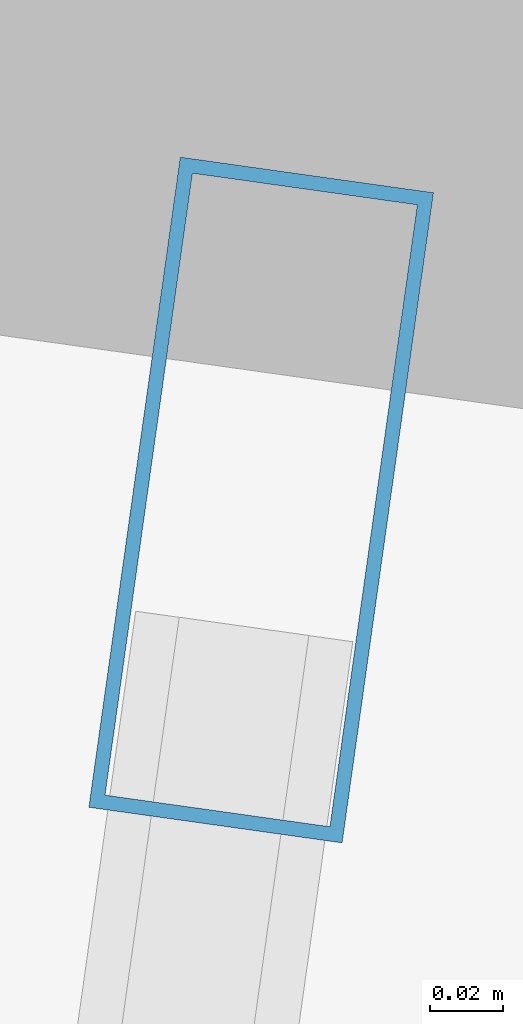
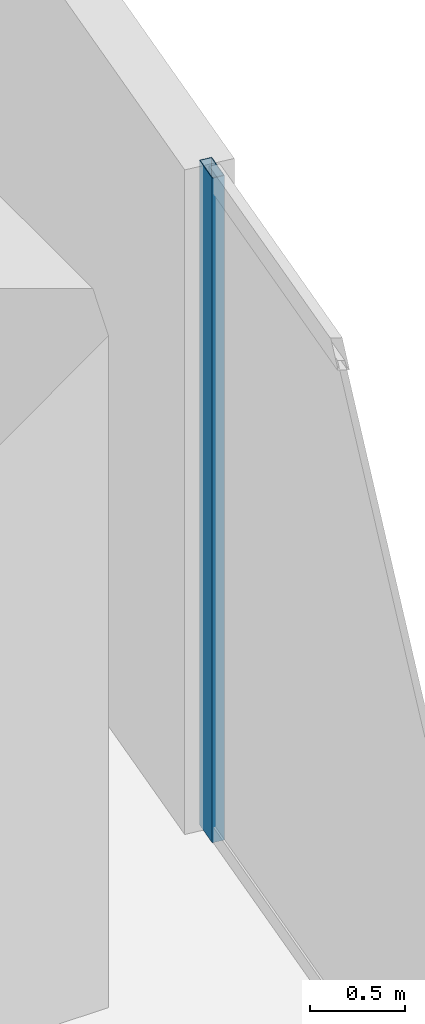
# One storey, part 22 of 28: 1 member, 1 element without a shape of its own.
"""IFC4 building model written with IfcOpenShell, lengths in metres."""

from ifc_helpers import new_model, si_unit, direction, frame, origin, origin_2d, place, context, subcontext, project, spatial, hollow_rectangle, extrude, material, layer, layer_set, material_profile, profile_set, type_object, element, aggregate, save


model = new_model("IFC4")

# Units and contexts
model_context = context("Model", 3, precision=1e-05, world=origin(), true_north=direction((0.0, 1.0)))
body_context = subcontext(model_context, "Body", "Model", "MODEL_VIEW")
ifc_project = project(units=[si_unit("LENGTHUNIT", "METRE"), si_unit("AREAUNIT", "SQUARE_METRE"), si_unit("VOLUMEUNIT", "CUBIC_METRE"), si_unit("PLANEANGLEUNIT", "RADIAN"), si_unit("MASSUNIT", "GRAM", prefix="KILO")], contexts=[model_context])

# Site, building, storey
site_placement = place(None, origin())
site = spatial("IfcSite", under=ifc_project, at=site_placement, CompositionType="ELEMENT")
building_placement = place(site_placement, origin())
building = spatial("IfcBuilding", under=site, at=building_placement, Name="Kravanh Interchange Tower", CompositionType="ELEMENT")
storey_placement = place(building_placement, frame((0.0, 0.0, 91.5)))
storey = spatial("IfcBuildingStorey", under=building, at=storey_placement, Name="L21", CompositionType="ELEMENT", Elevation=91.5)

# Curtain wall, member
ifc_material_1 = material(Name="Anodised Bronze Aluminium", Category="aluminium")
ifc_layer = layer(ifc_material_1, 0.179931640625)
ifc_layer_set = layer_set([ifc_layer], Name="Unitised Curtain Wall System CW-SKY Sky Observatory")
curtain_wall_type = type_object("IfcCurtainWallType", Name="Unitised Curtain Wall System CW-SKY Sky Observatory", PredefinedType="NOTDEFINED", material=ifc_layer_set)
curtain_wall_placement = place(storey_placement, origin())
curtain_wall = element("IfcCurtainWall", 1, at=curtain_wall_placement, inside=storey, type_object=curtain_wall_type, Name="L21 Unitised Curtain Wall CW-L21-02", PredefinedType="NOTDEFINED")
ifc_material_2 = material(Name="Anodised Bronze Aluminium", Category="aluminium")
ifc_material_profile = material_profile(ifc_material_2, hollow_rectangle(XDim=0.070068359375, YDim=0.179931640625, WallThickness=0.00390625, at=origin_2d()), Name="ALU70X180X4")
ifc_profile_set = profile_set([ifc_material_profile], Name="Anodised Bronze Aluminium")
member_type = type_object("IfcMemberType", Name="Curtain Wall Mullion ALU70X180X4 Bronze", PredefinedType="MULLION", material=ifc_profile_set)
member_placement = place(storey_placement, frame((68.3701171875, 37.765380859375, 0.0), z_axis=(0.0, 0.0, 1.0), x_axis=(0.990267585682, -0.139176538065, 0.0)))
member = element("IfcMember", 2, at=member_placement, type_object=member_type, Name="CW-SKY mullion 1", PredefinedType="MULLION", context=body_context, shape_type="SweptSolid", body=[
    extrude(hollow_rectangle(XDim=0.070068359375, YDim=0.179931640625, WallThickness=0.00390625, at=origin_2d()), origin(), (0.0, 0.0, 1.0), 4.25),
])
aggregate(curtain_wall, [member])

save(model, "model.ifc")
